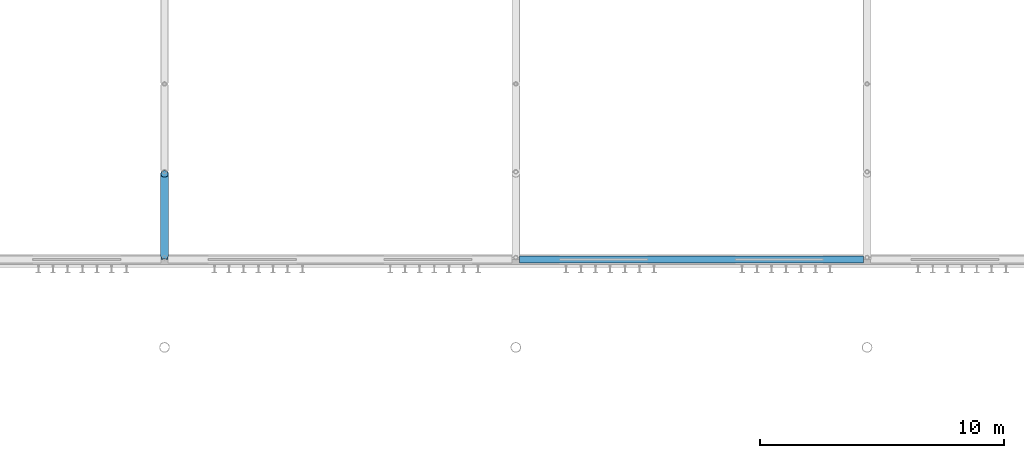
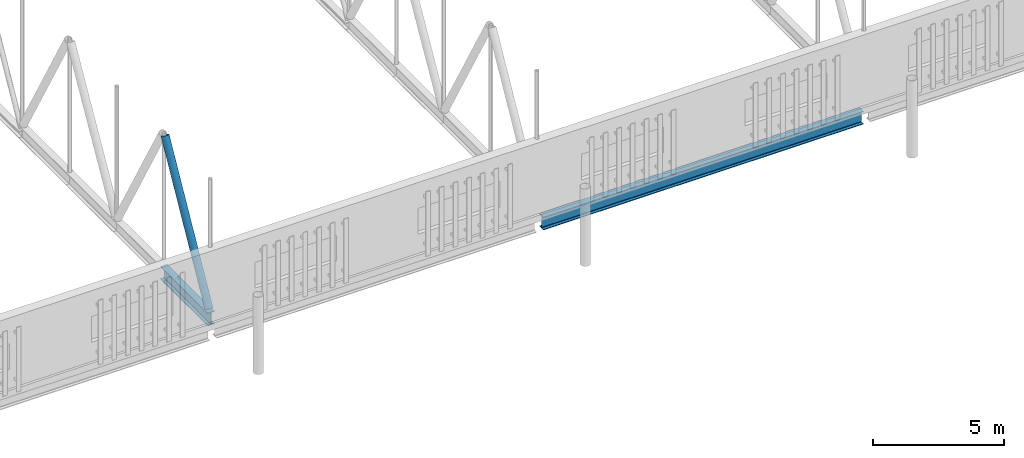
# One storey, part 34 of 142: 2 members, 1 beam.
"""IFC4 building model written with IfcOpenShell, lengths in metres."""

from ifc_helpers import new_model, si_unit, direction, frame, origin, origin_2d, place, context, subcontext, project, spatial, hollow_circle, i_section, extrude, material, material_profile, profile_set, type_object, element, save


model = new_model("IFC4")

# Units and contexts
model_context = context("Model", 3, precision=1e-05, world=origin(), true_north=direction((0.0, 1.0)))
body_context = subcontext(model_context, "Body", "Model", "MODEL_VIEW")
ifc_project = project(units=[si_unit("LENGTHUNIT", "METRE"), si_unit("AREAUNIT", "SQUARE_METRE"), si_unit("VOLUMEUNIT", "CUBIC_METRE"), si_unit("PLANEANGLEUNIT", "RADIAN"), si_unit("MASSUNIT", "GRAM", prefix="KILO")], contexts=[model_context])

# Site, building, storey
site_placement = place(None, origin())
site = spatial("IfcSite", under=ifc_project, at=site_placement, CompositionType="ELEMENT")
building_placement = place(site_placement, origin())
building = spatial("IfcBuilding", under=site, at=building_placement, Name="Kupolbacken Congress Centre", CompositionType="ELEMENT")
storey_placement = place(building_placement, frame((0.0, 0.0, 14.39990234375)))
storey = spatial("IfcBuildingStorey", under=building, at=storey_placement, Name="L04", CompositionType="ELEMENT", Elevation=14.39990234375)

# Beam
ifc_material_1 = material(Name="Steel S355", Category="steel")
ifc_material_profile_1 = material_profile(ifc_material_1, i_section(OverallWidth=0.300048828125, OverallDepth=0.60009765625, WebThickness=0.015380859375, FlangeThickness=0.030029296875, FilletRadius=0.027099609375, at=origin_2d()), Name="HEB 600")
ifc_profile_set_1 = profile_set([ifc_material_profile_1], Name="Steel S355")
beam_type = type_object("IfcBeamType", Name="B15 beam HEB 600", PredefinedType="BEAM", material=ifc_profile_set_1)
beam_placement = place(storey_placement, frame((122.550048828125, 43.199951171875, -0.2998046875), z_axis=(1.0, 0.0, 0.0), x_axis=(0.0, 1.0, 0.0)))
element("IfcBeam", 1, at=beam_placement, inside=storey, type_object=beam_type, Name="Edge girder", PredefinedType="BEAM", context=body_context, shape_type="SweptSolid", body=[
    extrude(i_section(OverallWidth=0.300048828125, OverallDepth=0.60009765625, WebThickness=0.015380859375, FlangeThickness=0.030029296875, FilletRadius=0.027099609375, at=origin_2d()), origin(), (0.0, 0.0, 1.0), 14.099853515625),
])

# Members
ifc_material_2 = material(Name="Steel S355", Category="steel")
ifc_material_profile_2 = material_profile(ifc_material_2, i_section(OverallWidth=0.300048828125, OverallDepth=0.60009765625, WebThickness=0.015380859375, FlangeThickness=0.030029296875, FilletRadius=0.027099609375, at=origin_2d()), Name="HEB 600")
ifc_profile_set_2 = profile_set([ifc_material_profile_2], Name="Steel S355")
member_type_1 = type_object("IfcMemberType", Name="M02 transfer truss chord HEB 600", PredefinedType="CHORD", material=ifc_profile_set_2)
member_1_placement = place(storey_placement, frame((108.0, 43.199951171875, 0.2900390625), z_axis=(0.0, 1.0, 0.0), x_axis=(-1.0, 0.0, 0.0)))
element("IfcMember", 2, at=member_1_placement, inside=storey, type_object=member_type_1, Name="HT/T2/BC01", PredefinedType="CHORD", context=body_context, shape_type="SweptSolid", body=[
    extrude(i_section(OverallWidth=0.300048828125, OverallDepth=0.60009765625, WebThickness=0.015380859375, FlangeThickness=0.030029296875, FilletRadius=0.027099609375, at=origin_2d()), origin(), (0.0, 0.0, 1.0), 3.60009765625),
])
ifc_material_3 = material(Name="Steel S355", Category="steel")
ifc_material_profile_3 = material_profile(ifc_material_3, hollow_circle(Radius=0.161865234375, WallThickness=0.012451171875, at=origin_2d()), Name="CHS 323.9 x 12.5")
ifc_profile_set_3 = profile_set([ifc_material_profile_3], Name="Steel S355")
member_type_2 = type_object("IfcMemberType", Name="M04 transfer truss web CHS 323.9 x 12.5", PredefinedType="BRACE", material=ifc_profile_set_3)
member_2_placement = place(storey_placement, frame((108.0, 43.368408203125, 0.6572265625), z_axis=(0.0, 0.485009080024, 0.874509115043), x_axis=(-1.0, 0.0, 0.0)))
element("IfcMember", 3, at=member_2_placement, inside=storey, type_object=member_type_2, Name="HT/T2/D01", PredefinedType="BRACE", context=body_context, shape_type="SweptSolid", body=[
    extrude(hollow_circle(Radius=0.161865234375, WallThickness=0.012451171875, at=origin_2d()), origin(), (0.0, 0.0, 1.0), 6.90185546875),
])

save(model, "model.ifc")
